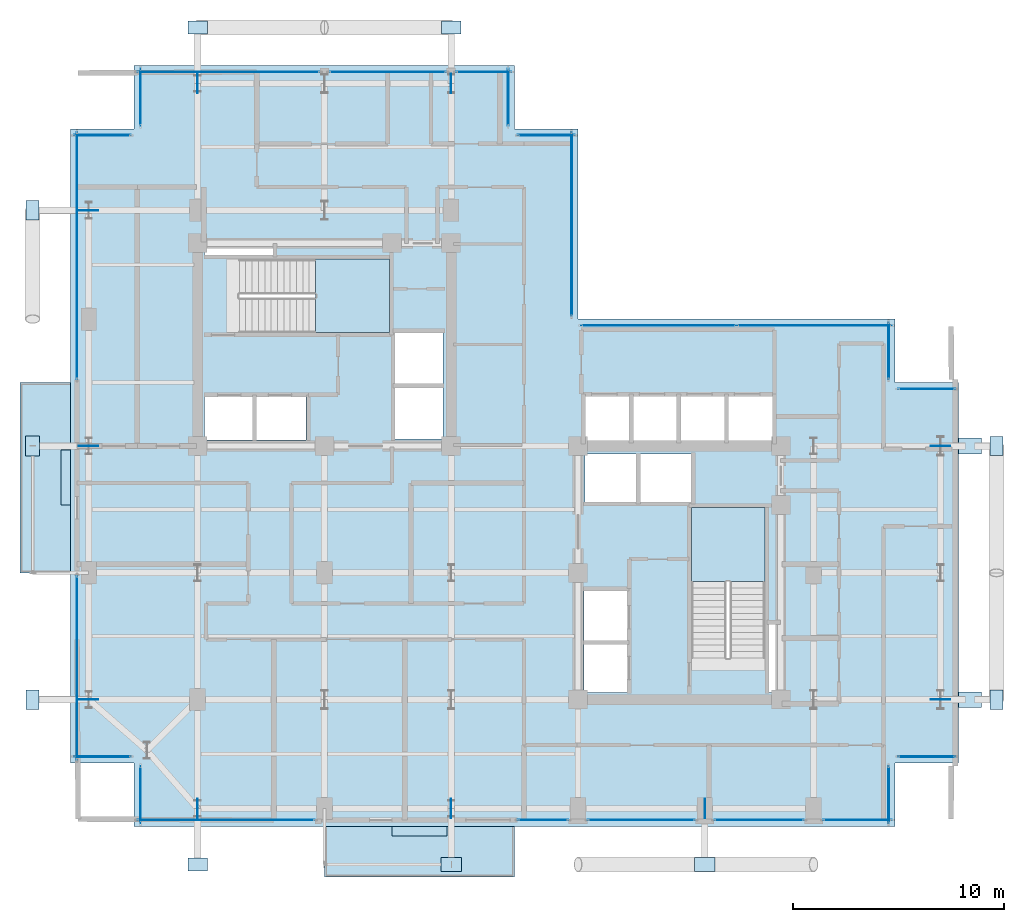
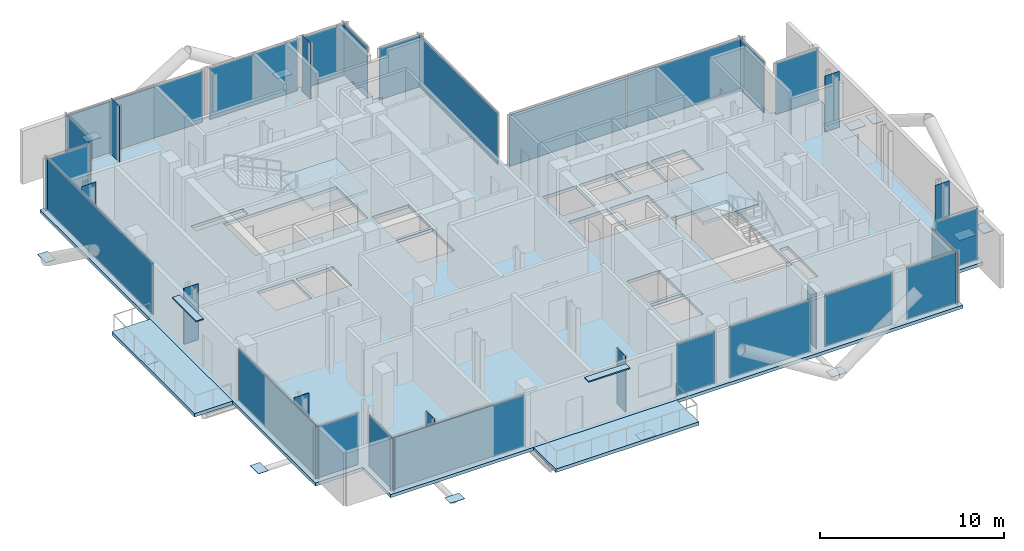
# One storey, part 15 of 21: 47 plates, 5 slabs, 24 elements without a shape of their own.
"""IFC4 building model written with IfcOpenShell, lengths in metres."""

from ifc_helpers import new_model, si_unit, direction, frame, origin, origin_2d, place, context, subcontext, project, spatial, polyline, rectangle, outline, extrude, material, layer, layer_set, type_object, element, aggregate, save


model = new_model("IFC4")

# Units and contexts
model_context = context("Model", 3, precision=1e-05, world=origin(), true_north=direction((0.0, 1.0)))
body_context = subcontext(model_context, "Body", "Model", "MODEL_VIEW")
ifc_project = project(units=[si_unit("LENGTHUNIT", "METRE"), si_unit("AREAUNIT", "SQUARE_METRE"), si_unit("VOLUMEUNIT", "CUBIC_METRE"), si_unit("PLANEANGLEUNIT", "RADIAN"), si_unit("MASSUNIT", "GRAM", prefix="KILO"), si_unit("THERMODYNAMICTEMPERATUREUNIT", "KELVIN"), si_unit("POWERUNIT", "WATT")], contexts=[model_context])

# Site, building, storey
site_placement = place(None, origin())
site = spatial("IfcSite", under=ifc_project, at=site_placement, CompositionType="ELEMENT")
building_placement = place(site_placement, origin())
building = spatial("IfcBuilding", under=site, at=building_placement, Name="Svarakhadi Broadcast Tower", CompositionType="ELEMENT")
storey_placement = place(building_placement, frame((0.0, 0.0, 187.949951171875)))
storey = spatial("IfcBuildingStorey", under=building, at=storey_placement, Name="L46", CompositionType="ELEMENT", Elevation=187.949951171875)

# Curtain wall, plate
ifc_material_1 = material(Name="Anodised Bronze Aluminium AA 6063-T6", Category="aluminium")
ifc_layer_1 = layer(ifc_material_1, 0.18994140625)
ifc_layer_set_1 = layer_set([ifc_layer_1], Name="Anodised Bronze Aluminium AA 6063-T6")
curtain_wall_type = type_object("IfcCurtainWallType", Name="CW_Sys_04", PredefinedType="NOTDEFINED", material=ifc_layer_set_1)
curtain_wall_1_placement = place(storey_placement, origin())
curtain_wall_1 = element("IfcCurtainWall", 1, at=curtain_wall_1_placement, inside=storey, type_object=curtain_wall_type, Name="L46 Unitised Facade Curtain Wall 01", PredefinedType="NOTDEFINED")
ifc_material_2 = material(Name="Double Low-E Laminated Acoustic Glass IGU 36 mm", Category="glass")
ifc_layer_2 = layer(ifc_material_2, 0.033935546875)
ifc_layer_set_2 = layer_set([ifc_layer_2], Name="Double Low-E Laminated Acoustic Glass IGU 36 mm")
plate_type_1 = type_object("IfcPlateType", Name="CW_Sys_04_Pnl", PredefinedType="CURTAIN_PANEL", material=ifc_layer_set_2)
plate_1_placement = place(storey_placement, frame((1.5, 3.300048828125, 0.06494140625), z_axis=(0.0, 0.0, 1.0), x_axis=(-1.0, 0.0, 0.0)))
plate_1 = element("IfcPlate", 2, at=plate_1_placement, type_object=plate_type_1, Name="CW-04 panel 1.1", PredefinedType="CURTAIN_PANEL", context=body_context, shape_type="SweptSolid", body=[
    extrude(rectangle(XDim=2.679931640625, YDim=0.033935546875, at=origin_2d()), origin(), (0.0, 0.0, 1.0), 3.409912109375),
])
aggregate(curtain_wall_1, [plate_1])

curtain_wall_2_placement = place(storey_placement, origin())
curtain_wall_2 = element("IfcCurtainWall", 3, at=curtain_wall_2_placement, inside=storey, type_object=curtain_wall_type, Name="L46 West Curtain Wall 02", PredefinedType="NOTDEFINED")
plate_2_placement = place(storey_placement, frame((0.300048828125, 7.5, 0.06494140625), z_axis=(0.0, 0.0, 1.0), x_axis=(0.0, 1.0, 0.0)))
plate_2 = element("IfcPlate", 4, at=plate_2_placement, type_object=plate_type_1, Name="CW-04 panel 1.1", PredefinedType="CURTAIN_PANEL", context=body_context, shape_type="SweptSolid", body=[
    extrude(rectangle(XDim=8.679931640625, YDim=0.033935546875, at=origin_2d()), origin(), (0.0, 0.0, 1.0), 3.409912109375),
])
aggregate(curtain_wall_2, [plate_2])

curtain_wall_3_placement = place(storey_placement, origin())
curtain_wall_3 = element("IfcCurtainWall", 5, at=curtain_wall_3_placement, inside=storey, type_object=curtain_wall_type, Name="L46 West Curtain Wall 03", PredefinedType="NOTDEFINED")
plate_3_placement = place(storey_placement, frame((0.300048828125, 27.0, 0.06494140625), z_axis=(0.0, 0.0, 1.0), x_axis=(0.0, 1.0, 0.0)))
plate_3 = element("IfcPlate", 6, at=plate_3_placement, type_object=plate_type_1, Name="CW-04 panel 1.1", PredefinedType="CURTAIN_PANEL", context=body_context, shape_type="SweptSolid", body=[
    extrude(rectangle(XDim=11.679931640625, YDim=0.033935546875, at=origin_2d()), origin(), (0.0, 0.0, 1.0), 3.409912109375),
])
aggregate(curtain_wall_3, [plate_3])

curtain_wall_4_placement = place(storey_placement, origin())
curtain_wall_4 = element("IfcCurtainWall", 7, at=curtain_wall_4_placement, inside=storey, type_object=curtain_wall_type, Name="L46 Unitised Facade Curtain Wall 04", PredefinedType="NOTDEFINED")
plate_4_placement = place(storey_placement, frame((1.5, 32.699951171875, 0.06494140625), z_axis=(0.0, 0.0, 1.0), x_axis=(1.0, 0.0, 0.0)))
plate_4 = element("IfcPlate", 8, at=plate_4_placement, type_object=plate_type_1, Name="CW-04 panel 1.1", PredefinedType="CURTAIN_PANEL", context=body_context, shape_type="SweptSolid", body=[
    extrude(rectangle(XDim=2.679931640625, YDim=0.033935546875, at=origin_2d()), origin(), (0.0, 0.0, 1.0), 3.409912109375),
])
aggregate(curtain_wall_4, [plate_4])

curtain_wall_5_placement = place(storey_placement, origin())
curtain_wall_5 = element("IfcCurtainWall", 9, at=curtain_wall_5_placement, inside=storey, type_object=curtain_wall_type, Name="L46 Unitised Facade Curtain Wall 05", PredefinedType="NOTDEFINED")
plate_5_placement = place(storey_placement, frame((3.300048828125, 34.5, 0.06494140625), z_axis=(0.0, 0.0, 1.0), x_axis=(0.0, 1.0, 0.0)))
plate_5 = element("IfcPlate", 10, at=plate_5_placement, type_object=plate_type_1, Name="CW-04 panel 1.1", PredefinedType="CURTAIN_PANEL", context=body_context, shape_type="SweptSolid", body=[
    extrude(rectangle(XDim=2.679931640625, YDim=0.033935546875, at=origin_2d()), origin(), (0.0, 0.0, 1.0), 3.409912109375),
])
aggregate(curtain_wall_5, [plate_5])

curtain_wall_6_placement = place(storey_placement, origin())
curtain_wall_6 = element("IfcCurtainWall", 11, at=curtain_wall_6_placement, inside=storey, type_object=curtain_wall_type, Name="L46 Unitised Facade Curtain Wall 06 Bay 1", PredefinedType="NOTDEFINED")
plate_6_placement = place(storey_placement, frame((7.4599609375, 35.699951171875, 0.06494140625), z_axis=(0.0, 0.0, 1.0), x_axis=(1.0, 0.0, 0.0)))
plate_6 = element("IfcPlate", 12, at=plate_6_placement, type_object=plate_type_1, Name="CW-04 panel 1.1", PredefinedType="CURTAIN_PANEL", context=body_context, shape_type="SweptSolid", body=[
    extrude(rectangle(XDim=8.60009765625, YDim=0.033935546875, at=origin_2d()), origin(), (0.0, 0.0, 1.0), 3.409912109375),
])
aggregate(curtain_wall_6, [plate_6])

curtain_wall_7_placement = place(storey_placement, origin())
curtain_wall_7 = element("IfcCurtainWall", 13, at=curtain_wall_7_placement, inside=storey, type_object=curtain_wall_type, Name="L46 Unitised Facade Curtain Wall 06 Bay 2", PredefinedType="NOTDEFINED")
plate_7_placement = place(storey_placement, frame((15.0, 35.699951171875, 0.06494140625), z_axis=(0.0, 0.0, 1.0), x_axis=(1.0, 0.0, 0.0)))
plate_7 = element("IfcPlate", 14, at=plate_7_placement, type_object=plate_type_1, Name="CW-04 panel 1.1", PredefinedType="CURTAIN_PANEL", context=body_context, shape_type="SweptSolid", body=[
    extrude(rectangle(XDim=5.52001953125, YDim=0.033935546875, at=origin_2d()), origin(), (0.0, 0.0, 1.0), 3.409912109375),
])
aggregate(curtain_wall_7, [plate_7])

curtain_wall_8_placement = place(storey_placement, origin())
curtain_wall_8 = element("IfcCurtainWall", 15, at=curtain_wall_8_placement, inside=storey, type_object=curtain_wall_type, Name="L46 Unitised Facade Curtain Wall 06 Bay 3", PredefinedType="NOTDEFINED")
plate_8_placement = place(storey_placement, frame((19.5400390625, 35.699951171875, 0.06494140625), z_axis=(0.0, 0.0, 1.0), x_axis=(1.0, 0.0, 0.0)))
plate_8 = element("IfcPlate", 16, at=plate_8_placement, type_object=plate_type_1, Name="CW-04 panel 1.1", PredefinedType="CURTAIN_PANEL", context=body_context, shape_type="SweptSolid", body=[
    extrude(rectangle(XDim=2.60009765625, YDim=0.033935546875, at=origin_2d()), origin(), (0.0, 0.0, 1.0), 3.409912109375),
])
aggregate(curtain_wall_8, [plate_8])

curtain_wall_9_placement = place(storey_placement, origin())
curtain_wall_9 = element("IfcCurtainWall", 17, at=curtain_wall_9_placement, inside=storey, type_object=curtain_wall_type, Name="L46 Unitised Facade Curtain Wall 07", PredefinedType="NOTDEFINED")
plate_9_placement = place(storey_placement, frame((20.699951171875, 34.5, 0.06494140625), z_axis=(0.0, 0.0, 1.0), x_axis=(0.0, -1.0, 0.0)))
plate_9 = element("IfcPlate", 18, at=plate_9_placement, type_object=plate_type_1, Name="CW-04 panel 1.1", PredefinedType="CURTAIN_PANEL", context=body_context, shape_type="SweptSolid", body=[
    extrude(rectangle(XDim=2.679931640625, YDim=0.033935546875, at=origin_2d()), origin(), (0.0, 0.0, 1.0), 3.409912109375),
])
aggregate(curtain_wall_9, [plate_9])

curtain_wall_10_placement = place(storey_placement, origin())
curtain_wall_10 = element("IfcCurtainWall", 19, at=curtain_wall_10_placement, inside=storey, type_object=curtain_wall_type, Name="L46 Unitised Facade Curtain Wall 08", PredefinedType="NOTDEFINED")
plate_10_placement = place(storey_placement, frame((22.5, 32.699951171875, 0.06494140625), z_axis=(0.0, 0.0, 1.0), x_axis=(1.0, 0.0, 0.0)))
plate_10 = element("IfcPlate", 20, at=plate_10_placement, type_object=plate_type_1, Name="CW-04 panel 1.1", PredefinedType="CURTAIN_PANEL", context=body_context, shape_type="SweptSolid", body=[
    extrude(rectangle(XDim=2.679931640625, YDim=0.033935546875, at=origin_2d()), origin(), (0.0, 0.0, 1.0), 3.409912109375),
])
aggregate(curtain_wall_10, [plate_10])

curtain_wall_11_placement = place(storey_placement, origin())
curtain_wall_11 = element("IfcCurtainWall", 21, at=curtain_wall_11_placement, inside=storey, type_object=curtain_wall_type, Name="L46 Unitised Facade Curtain Wall 09", PredefinedType="NOTDEFINED")
plate_11_placement = place(storey_placement, frame((23.699951171875, 28.5, 0.06494140625), z_axis=(0.0, 0.0, 1.0), x_axis=(0.0, -1.0, 0.0)))
plate_11 = element("IfcPlate", 22, at=plate_11_placement, type_object=plate_type_1, Name="CW-04 panel 1.1", PredefinedType="CURTAIN_PANEL", context=body_context, shape_type="SweptSolid", body=[
    extrude(rectangle(XDim=8.679931640625, YDim=0.033935546875, at=origin_2d()), origin(), (0.0, 0.0, 1.0), 3.409912109375),
])
aggregate(curtain_wall_11, [plate_11])

# Curtain wall, plates
curtain_wall_12_placement = place(storey_placement, origin())
curtain_wall_12 = element("IfcCurtainWall", 23, at=curtain_wall_12_placement, inside=storey, type_object=curtain_wall_type, Name="L46 Unitised Facade Curtain Wall 10", PredefinedType="NOTDEFINED")
plate_12_placement = place(storey_placement, frame((27.8125, 23.699951171875, 0.06494140625), z_axis=(0.0, 0.0, 1.0), x_axis=(1.0, 0.0, 0.0)))
plate_12 = element("IfcPlate", 24, at=plate_12_placement, type_object=plate_type_1, Name="CW-04 panel 1.1", PredefinedType="CURTAIN_PANEL", context=body_context, shape_type="SweptSolid", body=[
    extrude(rectangle(XDim=7.304931640625, YDim=0.033935546875, at=origin_2d()), origin(), (0.0, 0.0, 1.0), 3.409912109375),
])
plate_13_placement = place(storey_placement, frame((35.1875, 23.699951171875, 0.06494140625), z_axis=(0.0, 0.0, 1.0), x_axis=(1.0, 0.0, 0.0)))
plate_13 = element("IfcPlate", 25, at=plate_13_placement, type_object=plate_type_1, Name="CW-04 panel 2.1", PredefinedType="CURTAIN_PANEL", context=body_context, shape_type="SweptSolid", body=[
    extrude(rectangle(XDim=7.304931640625, YDim=0.033935546875, at=origin_2d()), origin(), (0.0, 0.0, 1.0), 3.409912109375),
])
aggregate(curtain_wall_12, [plate_12, plate_13])

# Curtain wall, plate
curtain_wall_13_placement = place(storey_placement, origin())
curtain_wall_13 = element("IfcCurtainWall", 26, at=curtain_wall_13_placement, inside=storey, type_object=curtain_wall_type, Name="L46 Unitised Facade Curtain Wall 11", PredefinedType="NOTDEFINED")
plate_14_placement = place(storey_placement, frame((38.699951171875, 22.5, 0.06494140625), z_axis=(0.0, 0.0, 1.0), x_axis=(0.0, -1.0, 0.0)))
plate_14 = element("IfcPlate", 27, at=plate_14_placement, type_object=plate_type_1, Name="CW-04 panel 1.1", PredefinedType="CURTAIN_PANEL", context=body_context, shape_type="SweptSolid", body=[
    extrude(rectangle(XDim=2.679931640625, YDim=0.033935546875, at=origin_2d()), origin(), (0.0, 0.0, 1.0), 3.409912109375),
])
aggregate(curtain_wall_13, [plate_14])

curtain_wall_14_placement = place(storey_placement, origin())
curtain_wall_14 = element("IfcCurtainWall", 28, at=curtain_wall_14_placement, inside=storey, type_object=curtain_wall_type, Name="L46 Unitised Facade Curtain Wall 12", PredefinedType="NOTDEFINED")
plate_15_placement = place(storey_placement, frame((40.5, 20.699951171875, 0.06494140625), z_axis=(0.0, 0.0, 1.0), x_axis=(1.0, 0.0, 0.0)))
plate_15 = element("IfcPlate", 29, at=plate_15_placement, type_object=plate_type_1, Name="CW-04 panel 1.1", PredefinedType="CURTAIN_PANEL", context=body_context, shape_type="SweptSolid", body=[
    extrude(rectangle(XDim=2.679931640625, YDim=0.033935546875, at=origin_2d()), origin(), (0.0, 0.0, 1.0), 3.409912109375),
])
aggregate(curtain_wall_14, [plate_15])

curtain_wall_15_placement = place(storey_placement, origin())
curtain_wall_15 = element("IfcCurtainWall", 30, at=curtain_wall_15_placement, inside=storey, type_object=curtain_wall_type, Name="L46 Unitised Facade Curtain Wall 13", PredefinedType="NOTDEFINED")
plate_16_placement = place(storey_placement, frame((40.5, 3.300048828125, 0.06494140625), z_axis=(0.0, 0.0, 1.0), x_axis=(-1.0, 0.0, 0.0)))
plate_16 = element("IfcPlate", 31, at=plate_16_placement, type_object=plate_type_1, Name="CW-04 panel 1.1", PredefinedType="CURTAIN_PANEL", context=body_context, shape_type="SweptSolid", body=[
    extrude(rectangle(XDim=2.679931640625, YDim=0.033935546875, at=origin_2d()), origin(), (0.0, 0.0, 1.0), 3.409912109375),
])
aggregate(curtain_wall_15, [plate_16])

curtain_wall_16_placement = place(storey_placement, origin())
curtain_wall_16 = element("IfcCurtainWall", 32, at=curtain_wall_16_placement, inside=storey, type_object=curtain_wall_type, Name="L46 Unitised Facade Curtain Wall 14", PredefinedType="NOTDEFINED")
plate_17_placement = place(storey_placement, frame((38.699951171875, 1.5, 0.06494140625), z_axis=(0.0, 0.0, 1.0), x_axis=(0.0, -1.0, 0.0)))
plate_17 = element("IfcPlate", 33, at=plate_17_placement, type_object=plate_type_1, Name="CW-04 panel 1.1", PredefinedType="CURTAIN_PANEL", context=body_context, shape_type="SweptSolid", body=[
    extrude(rectangle(XDim=2.679931640625, YDim=0.033935546875, at=origin_2d()), origin(), (0.0, 0.0, 1.0), 3.409912109375),
])
aggregate(curtain_wall_16, [plate_17])

curtain_wall_17_placement = place(storey_placement, origin())
curtain_wall_17 = element("IfcCurtainWall", 34, at=curtain_wall_17_placement, inside=storey, type_object=curtain_wall_type, Name="L46 South Curtain Wall 15 Bay 1", PredefinedType="NOTDEFINED")
plate_18_placement = place(storey_placement, frame((37.2275390625, 0.300048828125, 0.06494140625), z_axis=(0.0, 0.0, 1.0), x_axis=(-1.0, 0.0, 0.0)))
plate_18 = element("IfcPlate", 35, at=plate_18_placement, type_object=plate_type_1, Name="CW-04 panel 1.1", PredefinedType="CURTAIN_PANEL", context=body_context, shape_type="SweptSolid", body=[
    extrude(rectangle(XDim=3.22509765625, YDim=0.033935546875, at=origin_2d()), origin(), (0.0, 0.0, 1.0), 3.409912109375),
])
aggregate(curtain_wall_17, [plate_18])

curtain_wall_18_placement = place(storey_placement, origin())
curtain_wall_18 = element("IfcCurtainWall", 36, at=curtain_wall_18_placement, inside=storey, type_object=curtain_wall_type, Name="L46 South Curtain Wall 15 Bay 2", PredefinedType="NOTDEFINED")
plate_19_placement = place(storey_placement, frame((32.574951171875, 0.300048828125, 0.06494140625), z_axis=(0.0, 0.0, 1.0), x_axis=(-1.0, 0.0, 0.0)))
plate_19 = element("IfcPlate", 37, at=plate_19_placement, type_object=plate_type_1, Name="CW-04 panel 1.1", PredefinedType="CURTAIN_PANEL", context=body_context, shape_type="SweptSolid", body=[
    extrude(rectangle(XDim=4.219970703125, YDim=0.033935546875, at=origin_2d()), origin(), (0.0, 0.0, 1.0), 3.409912109375),
])
aggregate(curtain_wall_18, [plate_19])

curtain_wall_19_placement = place(storey_placement, origin())
curtain_wall_19 = element("IfcCurtainWall", 38, at=curtain_wall_19_placement, inside=storey, type_object=curtain_wall_type, Name="L46 South Curtain Wall 15 Bay 3", PredefinedType="NOTDEFINED")
plate_20_placement = place(storey_placement, frame((27.0, 0.300048828125, 0.06494140625), z_axis=(0.0, 0.0, 1.0), x_axis=(-1.0, 0.0, 0.0)))
plate_20 = element("IfcPlate", 39, at=plate_20_placement, type_object=plate_type_1, Name="CW-04 panel 1.1", PredefinedType="CURTAIN_PANEL", context=body_context, shape_type="SweptSolid", body=[
    extrude(rectangle(XDim=5.070068359375, YDim=0.033935546875, at=origin_2d()), origin(), (0.0, 0.0, 1.0), 3.409912109375),
])
aggregate(curtain_wall_19, [plate_20])

curtain_wall_20_placement = place(storey_placement, origin())
curtain_wall_20 = element("IfcCurtainWall", 40, at=curtain_wall_20_placement, inside=storey, type_object=curtain_wall_type, Name="L46 South Curtain Wall 15 Bay 4", PredefinedType="NOTDEFINED")
plate_21_placement = place(storey_placement, frame((22.347412109375, 0.300048828125, 0.06494140625), z_axis=(0.0, 0.0, 1.0), x_axis=(-1.0, 0.0, 0.0)))
plate_21 = element("IfcPlate", 41, at=plate_21_placement, type_object=plate_type_1, Name="CW-04 panel 1.1", PredefinedType="CURTAIN_PANEL", context=body_context, shape_type="SweptSolid", body=[
    extrude(rectangle(XDim=2.375, YDim=0.033935546875, at=origin_2d()), origin(), (0.0, 0.0, 1.0), 3.409912109375),
])
aggregate(curtain_wall_20, [plate_21])

curtain_wall_21_placement = place(storey_placement, origin())
curtain_wall_21 = element("IfcCurtainWall", 42, at=curtain_wall_21_placement, inside=storey, type_object=curtain_wall_type, Name="L46 South Curtain Wall 16", PredefinedType="NOTDEFINED")
plate_22_placement = place(storey_placement, frame((7.347412109375, 0.300048828125, 0.06494140625), z_axis=(0.0, 0.0, 1.0), x_axis=(-1.0, 0.0, 0.0)))
plate_22 = element("IfcPlate", 43, at=plate_22_placement, type_object=plate_type_1, Name="CW-04 panel 1.1", PredefinedType="CURTAIN_PANEL", context=body_context, shape_type="SweptSolid", body=[
    extrude(rectangle(XDim=8.375, YDim=0.033935546875, at=origin_2d()), origin(), (0.0, 0.0, 1.0), 3.409912109375),
])
aggregate(curtain_wall_21, [plate_22])

curtain_wall_22_placement = place(storey_placement, origin())
curtain_wall_22 = element("IfcCurtainWall", 44, at=curtain_wall_22_placement, inside=storey, type_object=curtain_wall_type, Name="L46 Unitised Facade Curtain Wall 17", PredefinedType="NOTDEFINED")
plate_23_placement = place(storey_placement, frame((3.300048828125, 1.5, 0.06494140625), z_axis=(0.0, 0.0, 1.0), x_axis=(0.0, 1.0, 0.0)))
plate_23 = element("IfcPlate", 45, at=plate_23_placement, type_object=plate_type_1, Name="CW-04 panel 1.1", PredefinedType="CURTAIN_PANEL", context=body_context, shape_type="SweptSolid", body=[
    extrude(rectangle(XDim=2.679931640625, YDim=0.033935546875, at=origin_2d()), origin(), (0.0, 0.0, 1.0), 3.409912109375),
])
aggregate(curtain_wall_22, [plate_23])

# Plates
ifc_material_3 = material(Name="Steel S460ML (IS 2062 E450BR)", Category="steel")
ifc_layer_3 = layer(ifc_material_3, 0.028076171875)
ifc_layer_set_3 = layer_set([ifc_layer_3], Name="Steel S460ML (IS 2062 E450BR)")
plate_type_2 = type_object("IfcPlateType", Name="Node_Gusset_N03", PredefinedType="SHEET", material=ifc_layer_set_3)
for number, where, z_axis, x_axis, name in (
    (46, (18.0, -1.800048828125, -0.2099609375), (0.0, 0.0, 1.0), (1.0, 0.0, 0.0), "L46 Exoskeleton Gusset Node Plate S02"),
    (47, (30.0, -1.800048828125, -0.2099609375), (0.0, 0.0, 1.0), (1.0, 0.0, 0.0), "L46 Exoskeleton Gusset Node Plate S03"),
    (48, (-1.800048828125, 18.0, -0.2099609375), (0.0, 0.0, 1.0), (0.0, 1.0, 0.0), "L46 Exoskeleton Gusset Node Plate W05"),
):
    element("IfcPlate", number, at=place(storey_placement, frame(where, z_axis=z_axis, x_axis=x_axis)), inside=storey, type_object=plate_type_2, Name=name, PredefinedType="SHEET", context=body_context, shape_type="SweptSolid", body=[
        extrude(rectangle(XDim=0.9599609375, YDim=0.659912109375, at=origin_2d()), origin(), (0.0, 0.0, 1.0), 0.028076171875),
    ])
ifc_layer_4 = layer(ifc_material_3, 0.02587890625)
ifc_layer_set_4 = layer_set([ifc_layer_4], Name="Steel S460ML (IS 2062 E450BR)")
plate_type_3 = type_object("IfcPlateType", Name="Node_Gusset_N07", PredefinedType="SHEET", material=ifc_layer_set_4)
for number, where, z_axis, x_axis, name in (
    (49, (6.0, -1.800048828125, -0.2099609375), (0.0, 0.0, 1.0), (1.0, 0.0, 0.0), "L46 Exoskeleton Gusset Node Plate S01"),
    (50, (-1.800048828125, 6.0, -0.2099609375), (0.0, 0.0, 1.0), (0.0, 1.0, 0.0), "L46 Exoskeleton Gusset Node Plate W04"),
    (51, (-1.800048828125, 29.14990234375, -0.2099609375), (0.0, 0.0, 1.0), (0.0, 1.0, 0.0), "L46 Exoskeleton Gusset Node Plate W06"),
    (52, (43.800048828125, 6.0, -0.2099609375), (0.0, 0.0, 1.0), (0.0, 1.0, 0.0), "L46 Exoskeleton Gusset Node Plate E07"),
    (53, (43.800048828125, 18.0, -0.2099609375), (0.0, 0.0, 1.0), (0.0, 1.0, 0.0), "L46 Exoskeleton Gusset Node Plate E08"),
    (54, (6.0, 37.800048828125, -0.2099609375), (0.0, 0.0, 1.0), (1.0, 0.0, 0.0), "L46 Exoskeleton Gusset Node Plate N09"),
    (55, (18.0, 37.800048828125, -0.2099609375), (0.0, 0.0, 1.0), (1.0, 0.0, 0.0), "L46 Exoskeleton Gusset Node Plate N10"),
):
    element("IfcPlate", number, at=place(storey_placement, frame(where, z_axis=z_axis, x_axis=x_axis)), inside=storey, type_object=plate_type_3, Name=name, PredefinedType="SHEET", context=body_context, shape_type="SweptSolid", body=[
        extrude(rectangle(XDim=0.919921875, YDim=0.6201171875, at=origin_2d()), origin(), (0.0, 0.0, 1.0), 0.02587890625),
    ])
for number, where, z_axis, x_axis, name in (
    (56, (6.0, 0.85009765625, -0.57177734375), (0.0, 0.0, 1.0), (0.0, 1.0, 0.0), "L46 Brace End Connection Gusset Plate N-07-E0378"),
    (57, (18.0, 0.85009765625, -0.57177734375), (0.0, 0.0, 1.0), (0.0, 1.0, 0.0), "L46 Brace End Connection Gusset Plate N-07-E0379"),
    (58, (30.0, 0.85009765625, -0.57177734375), (0.0, 0.0, 1.0), (0.0, 1.0, 0.0), "L46 Brace End Connection Gusset Plate N-07-E0380"),
    (59, (0.85009765625, 6.0, -0.57177734375), (0.0, 0.0, 1.0), (1.0, 0.0, 0.0), "L46 Brace End Connection Gusset Plate N-07-E0381"),
    (60, (0.85009765625, 18.0, -0.57177734375), (0.0, 0.0, 1.0), (1.0, 0.0, 0.0), "L46 Brace End Connection Gusset Plate N-07-E0382"),
    (61, (0.85009765625, 29.14990234375, -0.57177734375), (0.0, 0.0, 1.0), (1.0, 0.0, 0.0), "L46 Brace End Connection Gusset Plate N-07-E0383"),
    (62, (41.14990234375, 6.0, -0.57177734375), (0.0, 0.0, 1.0), (1.0, 0.0, 0.0), "L46 Brace End Connection Gusset Plate N-07-E0384"),
    (63, (41.14990234375, 18.0, -0.57177734375), (0.0, 0.0, 1.0), (1.0, 0.0, 0.0), "L46 Brace End Connection Gusset Plate N-07-E0385"),
    (64, (6.0, 35.14990234375, -0.57177734375), (0.0, 0.0, 1.0), (0.0, 1.0, 0.0), "L46 Brace End Connection Gusset Plate N-07-E0386"),
    (65, (18.0, 35.14990234375, -0.57177734375), (0.0, 0.0, 1.0), (0.0, 1.0, 0.0), "L46 Brace End Connection Gusset Plate N-07-E0387"),
):
    element("IfcPlate", number, at=place(storey_placement, frame(where, z_axis=z_axis, x_axis=x_axis)), inside=storey, type_object=plate_type_3, Name=name, PredefinedType="SHEET", context=body_context, shape_type="SweptSolid", body=[
        extrude(rectangle(XDim=0.919921875, YDim=0.02587890625, at=origin_2d()), origin(), (0.0, 0.0, 1.0), 4.300048828125),
    ])
ifc_layer_5 = layer(ifc_material_3, 0.031982421875)
ifc_layer_set_5 = layer_set([ifc_layer_5], Name="Steel S460ML (IS 2062 E450BR)")
plate_type_4 = type_object("IfcPlateType", Name="Pool_Node_PN01", PredefinedType="SHEET", material=ifc_layer_set_5)
for number, where, z_axis, x_axis, name in (
    (66, (42.54541015625, 6.0, -0.2099609375), (0.0, 0.0, 1.0), (1.0, 0.0, 0.0), "L46 Sky Pool Raker Radial Strut Collar Gusset PN-01-X07"),
    (67, (42.54541015625, 18.0, -0.2099609375), (0.0, 0.0, 1.0), (1.0, 0.0, 0.0), "L46 Sky Pool Raker Radial Strut Collar Gusset PN-01-X08"),
):
    element("IfcPlate", number, at=place(storey_placement, frame(where, z_axis=z_axis, x_axis=x_axis)), inside=storey, type_object=plate_type_4, Name=name, PredefinedType="SHEET", context=body_context, shape_type="SweptSolid", body=[
        extrude(rectangle(XDim=1.080078125, YDim=0.739990234375, at=origin_2d()), origin(), (0.0, 0.0, 1.0), 0.031982421875),
    ])

# Slab
ifc_material_4 = material(Name="Concrete C40/50 (IS 456 M50)", Category="concrete")
ifc_layer_6 = layer(ifc_material_4, 0.2099609375)
ifc_layer_set_6 = layer_set([ifc_layer_6], Name="Concrete C40/50 (IS 456 M50)")
slab_type_1 = type_object("IfcSlabType", Name="Slab_Floor_210", PredefinedType="FLOOR", material=ifc_layer_set_6)
slab_1_placement = place(storey_placement, frame((0.0, 0.0, -0.2099609375)))
element("IfcSlab", 68, at=slab_1_placement, inside=storey, type_object=slab_type_1, Name="L46 Structural Floor Slab", PredefinedType="FLOOR", context=body_context, shape_type="SweptSolid", body=[
    extrude(outline(polyline([(3.0, 0.0), (39.0, 0.0), (39.0, 3.0), (42.0, 3.0), (42.0, 21.0), (39.0, 21.0), (39.0, 24.0), (24.0, 24.0), (24.0, 33.0), (21.0, 33.0), (21.0, 36.0), (3.0, 36.0), (3.0, 33.0), (0.0, 33.0), (0.0, 3.0), (3.0, 3.0), (3.0, 0.0)]), holes=[polyline([(7.97998046875, 23.360107421875), (15.080078125, 23.360107421875), (15.080078125, 26.840087890625), (7.97998046875, 26.840087890625), (7.97998046875, 23.360107421875)]), polyline([(32.840087890625, 7.97998046875), (32.840087890625, 15.080078125), (29.360107421875, 15.080078125), (29.360107421875, 7.97998046875), (32.840087890625, 7.97998046875)]), polyline([(6.340087890625, 18.2900390625), (8.610107421875, 18.2900390625), (8.610107421875, 20.330078125), (6.340087890625, 20.330078125), (6.340087890625, 18.2900390625)]), polyline([(8.7900390625, 18.2900390625), (11.1298828125, 18.2900390625), (11.1298828125, 20.330078125), (8.7900390625, 20.330078125), (8.7900390625, 18.2900390625)]), polyline([(24.2900390625, 6.340087890625), (26.330078125, 6.340087890625), (26.330078125, 8.610107421875), (24.2900390625, 8.610107421875), (24.2900390625, 6.340087890625)]), polyline([(24.2900390625, 8.7900390625), (26.330078125, 8.7900390625), (26.330078125, 11.1298828125), (24.2900390625, 11.1298828125), (24.2900390625, 8.7900390625)]), polyline([(6.340087890625, 26.989990234375), (9.610107421875, 26.989990234375), (9.610107421875, 27.530029296875), (6.340087890625, 27.530029296875), (6.340087890625, 26.989990234375)]), polyline([(32.989990234375, 6.340087890625), (33.530029296875, 6.340087890625), (33.530029296875, 9.610107421875), (32.989990234375, 9.610107421875), (32.989990234375, 6.340087890625)]), polyline([(15.340087890625, 18.340087890625), (17.610107421875, 18.340087890625), (17.610107421875, 20.760009765625), (15.340087890625, 20.760009765625), (15.340087890625, 18.340087890625)]), polyline([(15.340087890625, 20.93994140625), (17.610107421875, 20.93994140625), (17.610107421875, 23.360107421875), (15.340087890625, 23.360107421875), (15.340087890625, 20.93994140625)]), polyline([(24.340087890625, 15.340087890625), (26.760009765625, 15.340087890625), (26.760009765625, 17.610107421875), (24.340087890625, 17.610107421875), (24.340087890625, 15.340087890625)]), polyline([(26.93994140625, 15.340087890625), (29.360107421875, 15.340087890625), (29.360107421875, 17.610107421875), (26.93994140625, 17.610107421875), (26.93994140625, 15.340087890625)]), polyline([(24.340087890625, 18.239990234375), (26.429931640625, 18.239990234375), (26.429931640625, 20.360107421875), (24.340087890625, 20.360107421875), (24.340087890625, 18.239990234375)]), polyline([(26.610107421875, 18.239990234375), (28.679931640625, 18.239990234375), (28.679931640625, 20.360107421875), (26.610107421875, 20.360107421875), (26.610107421875, 18.239990234375)]), polyline([(28.860107421875, 18.239990234375), (30.929931640625, 18.239990234375), (30.929931640625, 20.360107421875), (28.860107421875, 20.360107421875), (28.860107421875, 18.239990234375)]), polyline([(31.110107421875, 18.239990234375), (33.2099609375, 18.239990234375), (33.2099609375, 20.360107421875), (31.110107421875, 20.360107421875), (31.110107421875, 18.239990234375)])]), origin(), (0.0, 0.0, 1.0), 0.2099609375),
])

# Stair, slab
stair_type = type_object("IfcStairType", Name="Stair_Exit_Core", PredefinedType="HALF_TURN_STAIR", material=ifc_material_4)
stair_1_placement = place(storey_placement, origin())
stair_1 = element("IfcStair", 69, at=stair_1_placement, inside=storey, type_object=stair_type, Name="L46 West Core Protected Exit Stair ST-01", PredefinedType="HALF_TURN_STAIR")
ifc_layer_7 = layer(ifc_material_4, 0.199951171875)
ifc_layer_set_7 = layer_set([ifc_layer_7], Name="Concrete C40/50 (IS 456 M50)")
slab_type_2 = type_object("IfcSlabType", Name="Slab_Stair_Land", PredefinedType="LANDING", material=ifc_layer_set_7)
slab_2_placement = place(storey_placement, frame((0.0, 0.0, 1.675048828125)))
slab_2 = element("IfcSlab", 70, at=slab_2_placement, type_object=slab_type_2, Name="ST-01 landing 1", PredefinedType="LANDING", context=body_context, shape_type="SweptSolid", body=[
    extrude(outline(polyline([(11.580078125, 23.360107421875), (15.080078125, 23.360107421875), (15.080078125, 26.840087890625), (11.580078125, 26.840087890625), (11.580078125, 23.360107421875)])), origin(), (0.0, 0.0, 1.0), 0.199951171875),
])
aggregate(stair_1, [slab_2])

stair_2_placement = place(storey_placement, origin())
stair_2 = element("IfcStair", 71, at=stair_2_placement, inside=storey, type_object=stair_type, Name="L46 East Core Protected Exit Stair ST-02", PredefinedType="HALF_TURN_STAIR")
slab_3_placement = place(storey_placement, frame((0.0, 0.0, 1.675048828125)))
slab_3 = element("IfcSlab", 72, at=slab_3_placement, type_object=slab_type_2, Name="ST-02 landing 1", PredefinedType="LANDING", context=body_context, shape_type="SweptSolid", body=[
    extrude(outline(polyline([(32.840087890625, 11.580078125), (32.840087890625, 15.080078125), (29.360107421875, 15.080078125), (29.360107421875, 11.580078125), (32.840087890625, 11.580078125)])), origin(), (0.0, 0.0, 1.0), 0.199951171875),
])
aggregate(stair_2, [slab_3])

# Slabs
ifc_layer_8 = layer(ifc_material_4, 0.22509765625)
ifc_layer_set_8 = layer_set([ifc_layer_8], Name="Concrete C40/50 (IS 456 M50)")
slab_type_3 = type_object("IfcSlabType", Name="Slab_TreeBalcony", PredefinedType="FLOOR", material=ifc_layer_set_8)
slab_4_placement = place(storey_placement, frame((0.0, 0.0, -0.224853515625)))
element("IfcSlab", 73, at=slab_4_placement, inside=storey, type_object=slab_type_3, Name="L46 Planted Tree Balcony Slab BAL-S", PredefinedType="FLOOR", context=body_context, shape_type="SweptSolid", body=[
    extrude(outline(polyline([(12.0, -2.39990234375), (21.0, -2.39990234375), (21.0, 0.0), (12.0, 0.0), (12.0, -2.39990234375)])), origin(), (0.0, 0.0, 1.0), 0.224853515625),
])
slab_5_placement = place(storey_placement, frame((0.0, 0.0, -0.224853515625)))
element("IfcSlab", 74, at=slab_5_placement, inside=storey, type_object=slab_type_3, Name="L46 Planted Tree Balcony Slab BAL-W", PredefinedType="FLOOR", context=body_context, shape_type="SweptSolid", body=[
    extrude(outline(polyline([(-2.39990234375, 12.0), (0.0, 12.0), (0.0, 21.0), (-2.39990234375, 21.0), (-2.39990234375, 12.0)])), origin(), (0.0, 0.0, 1.0), 0.224853515625),
])

# Plates
ifc_layer_9 = layer(ifc_material_1, 0.080078125)
ifc_layer_set_9 = layer_set([ifc_layer_9], Name="Anodised Bronze Aluminium AA 6063-T6")
plate_type_5 = type_object("IfcPlateType", Name="Sunshade_Fin_SS01", PredefinedType="USERDEFINED", material=ifc_layer_set_9)
for number, where, z_axis, x_axis, name in (
    (75, (16.5, -0.22509765625, 3.4599609375), (0.0, 0.0, 1.0), (1.0, 0.0, 0.0), "L46 South Bronze Brise-Soleil Sunshade SS-01"),
    (76, (-0.22509765625, 16.5, 3.4599609375), (0.0, 0.0, 1.0), (0.0, 1.0, 0.0), "L46 West Bronze Brise-Soleil Sunshade SS-01"),
):
    element("IfcPlate", number, at=place(storey_placement, frame(where, z_axis=z_axis, x_axis=x_axis)), inside=storey, type_object=plate_type_5, Name=name, ObjectType="SUNSHADE", PredefinedType="USERDEFINED", context=body_context, shape_type="SweptSolid", body=[
        extrude(rectangle(XDim=2.60009765625, YDim=0.449951171875, at=origin_2d()), origin(), (0.0, 0.0, 1.0), 0.080078125),
    ])

save(model, "model.ifc")
